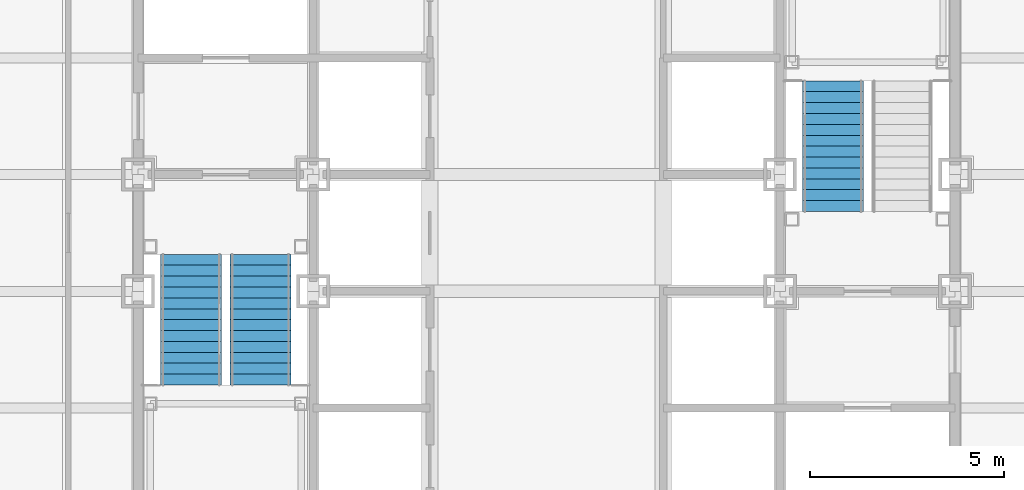
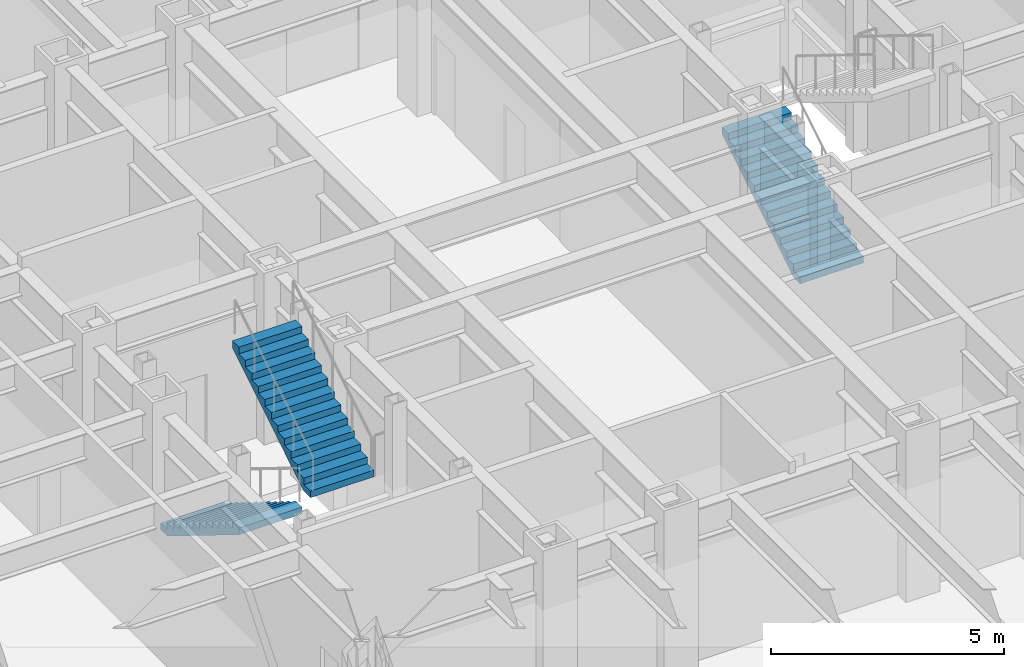
# One storey, part 12 of 16: 3 stair flights, 2 elements without a shape of their own.
"""IFC4 building model written with IfcOpenShell, lengths in metres."""

from ifc_helpers import new_model, si_unit, direction, frame, origin, place, context, subcontext, project, spatial, faceted_brep, material, type_object, element, aggregate, save


model = new_model("IFC4")

# Units and contexts
model_context = context("Model", 3, precision=1e-05, world=origin(), true_north=direction((0.0, 1.0)))
body_context = subcontext(model_context, "Body", "Model", "MODEL_VIEW")
ifc_project = project(units=[si_unit("LENGTHUNIT", "METRE"), si_unit("AREAUNIT", "SQUARE_METRE"), si_unit("VOLUMEUNIT", "CUBIC_METRE"), si_unit("PLANEANGLEUNIT", "RADIAN"), si_unit("MASSUNIT", "GRAM", prefix="KILO")], contexts=[model_context])

# Site, building, storey
site_placement = place(None, origin())
site = spatial("IfcSite", under=ifc_project, at=site_placement, CompositionType="ELEMENT")
building_placement = place(site_placement, origin())
building = spatial("IfcBuilding", under=site, at=building_placement, Name="Chuquiago Exchange Tower", CompositionType="ELEMENT")
storey_placement = place(building_placement, frame((0.0, 0.0, 33.300048828125)))
storey = spatial("IfcBuildingStorey", under=building, at=storey_placement, Name="L06", CompositionType="ELEMENT", Elevation=33.300048828125)

# Stair, stair flights
ifc_material_1 = material(Name="Concrete C30/37, precast", Category="concrete")
stair_type_1 = type_object("IfcStairType", Name="ST1 half-turn stair 4500", PredefinedType="HALF_TURN_STAIR", material=ifc_material_1)
stair_1_placement = place(storey_placement, origin())
stair_1 = element("IfcStair", 1, at=stair_1_placement, inside=storey, type_object=stair_type_1, Name="Stair ST1 L06", PredefinedType="HALF_TURN_STAIR")
ifc_material_2 = material(Name="Concrete C30/37, precast", Category="concrete")
stair_flight_type = type_object("IfcStairFlightType", Name="ST-F flight 1570 for 4500 storey", PredefinedType="STRAIGHT", material=ifc_material_2)
stair_flight_1_placement = place(storey_placement, frame((13.360107421875, 21.949951171875, 0.0), z_axis=(0.0, 0.0, 1.0), x_axis=(0.0, -1.0, 0.0)))
stair_flight_1 = element("IfcStairFlight", 2, at=stair_flight_1_placement, type_object=stair_flight_type, Name="ST1 flight 1", NumberOfRisers=13, NumberOfTreads=12, PredefinedType="STRAIGHT", RiserHeight=0.173076923, TreadLength=0.28, context=body_context, shape_type="Brep", body=[
    faceted_brep([(0.0, 0.78515625, 0.0), (0.0, 0.78515625, 0.173095703125), (0.280029296875, 0.78515625, 0.173095703125), (0.280029296875, 0.78515625, 0.34619140625), (0.56005859375, 0.78515625, 0.34619140625), (0.56005859375, 0.78515625, 0.519287109375), (0.840087890625, 0.78515625, 0.519287109375), (0.840087890625, 0.78515625, 0.6923828125), (1.1201171875, 0.78515625, 0.6923828125), (1.1201171875, 0.78515625, 0.865478515625), (1.39990234375, 0.78515625, 0.865478515625), (1.39990234375, 0.78515625, 1.03857421875), (1.679931640625, 0.78515625, 1.03857421875), (1.679931640625, 0.78515625, 1.21142578125), (1.9599609375, 0.78515625, 1.21142578125), (1.9599609375, 0.78515625, 1.384521484375), (2.239990234375, 0.78515625, 1.384521484375), (2.239990234375, 0.78515625, 1.5576171875), (2.52001953125, 0.78515625, 1.5576171875), (2.52001953125, 0.78515625, 1.730712890625), (2.800048828125, 0.78515625, 1.730712890625), (2.800048828125, 0.78515625, 1.90380859375), (3.080078125, 0.78515625, 1.90380859375), (3.080078125, 0.78515625, 2.076904296875), (3.360107421875, 0.78515625, 2.076904296875), (3.360107421875, 0.78515625, 1.900634765625), (0.28515625, 0.78515625, 0.0), (0.28515625, -0.78515625, 0.0), (3.360107421875, -0.78515625, 1.900634765625), (3.360107421875, -0.78515625, 2.076904296875), (3.080078125, -0.78515625, 2.076904296875), (3.080078125, -0.78515625, 1.90380859375), (2.800048828125, -0.78515625, 1.90380859375), (2.800048828125, -0.78515625, 1.730712890625), (2.52001953125, -0.78515625, 1.730712890625), (2.52001953125, -0.78515625, 1.5576171875), (2.239990234375, -0.78515625, 1.5576171875), (2.239990234375, -0.78515625, 1.384521484375), (1.9599609375, -0.78515625, 1.384521484375), (1.9599609375, -0.78515625, 1.21142578125), (1.679931640625, -0.78515625, 1.21142578125), (1.679931640625, -0.78515625, 1.03857421875), (1.39990234375, -0.78515625, 1.03857421875), (1.39990234375, -0.78515625, 0.865478515625), (1.1201171875, -0.78515625, 0.865478515625), (1.1201171875, -0.78515625, 0.6923828125), (0.840087890625, -0.78515625, 0.6923828125), (0.840087890625, -0.78515625, 0.519287109375), (0.56005859375, -0.78515625, 0.519287109375), (0.56005859375, -0.78515625, 0.34619140625), (0.280029296875, -0.78515625, 0.34619140625), (0.280029296875, -0.78515625, 0.173095703125), (0.0, -0.78515625, 0.173095703125), (0.0, -0.78515625, 0.0), (0.0, 0.392578125, 0.0), (0.0, 0.392578125, 0.173095703125), (0.0, 0.0, 0.0), (0.0, 0.0, 0.173095703125), (0.0, -0.392578125, 0.0), (0.0, -0.392578125, 0.173095703125), (0.280029296875, 0.392578125, 0.173095703125), (0.280029296875, 0.0, 0.173095703125), (0.280029296875, -0.392578125, 0.173095703125), (0.280029296875, 0.392578125, 0.34619140625), (0.280029296875, 0.0, 0.34619140625), (0.280029296875, -0.392578125, 0.34619140625), (0.56005859375, 0.392578125, 0.34619140625), (0.56005859375, 0.0, 0.34619140625), (0.56005859375, -0.392578125, 0.34619140625), (0.56005859375, 0.392578125, 0.519287109375), (0.56005859375, 0.0, 0.519287109375), (0.56005859375, -0.392578125, 0.519287109375), (0.840087890625, 0.392578125, 0.519287109375), (0.840087890625, 0.0, 0.519287109375), (0.840087890625, -0.392578125, 0.519287109375), (0.840087890625, 0.392578125, 0.6923828125), (0.840087890625, 0.0, 0.6923828125), (0.840087890625, -0.392578125, 0.6923828125), (1.1201171875, 0.392578125, 0.6923828125), (1.1201171875, 0.0, 0.6923828125), (1.1201171875, -0.392578125, 0.6923828125), (1.1201171875, 0.392578125, 0.865478515625), (1.1201171875, 0.0, 0.865478515625), (1.1201171875, -0.392578125, 0.865478515625), (1.39990234375, 0.392578125, 0.865478515625), (1.39990234375, 0.0, 0.865478515625), (1.39990234375, -0.392578125, 0.865478515625), (1.39990234375, 0.392578125, 1.03857421875), (1.39990234375, 0.0, 1.03857421875), (1.39990234375, -0.392578125, 1.03857421875), (1.679931640625, 0.392578125, 1.03857421875), (1.679931640625, 0.0, 1.03857421875), (1.679931640625, -0.392578125, 1.03857421875), (1.679931640625, 0.392578125, 1.21142578125), (1.679931640625, 0.0, 1.21142578125), (1.679931640625, -0.392578125, 1.21142578125), (1.9599609375, 0.392578125, 1.21142578125), (1.9599609375, 0.0, 1.21142578125), (1.9599609375, -0.392578125, 1.21142578125), (1.9599609375, 0.392578125, 1.384521484375), (1.9599609375, 0.0, 1.384521484375), (1.9599609375, -0.392578125, 1.384521484375), (2.239990234375, 0.392578125, 1.384521484375), (2.239990234375, 0.0, 1.384521484375), (2.239990234375, -0.392578125, 1.384521484375), (2.239990234375, 0.392578125, 1.5576171875), (2.239990234375, 0.0, 1.5576171875), (2.239990234375, -0.392578125, 1.5576171875), (2.52001953125, 0.392578125, 1.5576171875), (2.52001953125, 0.0, 1.5576171875), (2.52001953125, -0.392578125, 1.5576171875), (2.52001953125, 0.392578125, 1.730712890625), (2.52001953125, 0.0, 1.730712890625), (2.52001953125, -0.392578125, 1.730712890625), (2.800048828125, 0.392578125, 1.730712890625), (2.800048828125, 0.0, 1.730712890625), (2.800048828125, -0.392578125, 1.730712890625), (2.800048828125, 0.392578125, 1.90380859375), (2.800048828125, 0.0, 1.90380859375), (2.800048828125, -0.392578125, 1.90380859375), (3.080078125, 0.392578125, 1.90380859375), (3.080078125, 0.0, 1.90380859375), (3.080078125, -0.392578125, 1.90380859375), (3.080078125, 0.392578125, 2.076904296875), (3.080078125, 0.0, 2.076904296875), (3.080078125, -0.392578125, 2.076904296875), (3.360107421875, 0.392578125, 2.076904296875), (3.360107421875, 0.0, 2.076904296875), (3.360107421875, -0.392578125, 2.076904296875), (3.360107421875, 0.392578125, 1.900634765625), (3.360107421875, 0.0, 1.900634765625), (3.360107421875, -0.392578125, 1.900634765625), (0.28515625, 0.392578125, 0.0), (0.28515625, 0.0, 0.0), (0.28515625, -0.392578125, 0.0)], [[[0, 1, 2, 3, 4, 5, 6, 7, 8, 9, 10, 11, 12, 13, 14, 15, 16, 17, 18, 19, 20, 21, 22, 23, 24, 25, 26]], [[27, 28, 29, 30, 31, 32, 33, 34, 35, 36, 37, 38, 39, 40, 41, 42, 43, 44, 45, 46, 47, 48, 49, 50, 51, 52, 53]], [[1, 0, 54, 55]], [[55, 54, 56, 57]], [[57, 56, 58, 59]], [[59, 58, 53, 52]], [[2, 1, 55, 60]], [[60, 55, 57, 61]], [[61, 57, 59, 62]], [[62, 59, 52, 51]], [[3, 2, 60, 63]], [[63, 60, 61, 64]], [[64, 61, 62, 65]], [[65, 62, 51, 50]], [[4, 3, 63, 66]], [[66, 63, 64, 67]], [[67, 64, 65, 68]], [[68, 65, 50, 49]], [[5, 4, 66, 69]], [[69, 66, 67, 70]], [[70, 67, 68, 71]], [[71, 68, 49, 48]], [[6, 5, 69, 72]], [[72, 69, 70, 73]], [[73, 70, 71, 74]], [[74, 71, 48, 47]], [[7, 6, 72, 75]], [[75, 72, 73, 76]], [[76, 73, 74, 77]], [[77, 74, 47, 46]], [[8, 7, 75, 78]], [[78, 75, 76, 79]], [[79, 76, 77, 80]], [[80, 77, 46, 45]], [[9, 8, 78, 81]], [[81, 78, 79, 82]], [[82, 79, 80, 83]], [[83, 80, 45, 44]], [[10, 9, 81, 84]], [[84, 81, 82, 85]], [[85, 82, 83, 86]], [[86, 83, 44, 43]], [[11, 10, 84, 87]], [[87, 84, 85, 88]], [[88, 85, 86, 89]], [[89, 86, 43, 42]], [[12, 11, 87, 90]], [[90, 87, 88, 91]], [[91, 88, 89, 92]], [[92, 89, 42, 41]], [[13, 12, 90, 93]], [[93, 90, 91, 94]], [[94, 91, 92, 95]], [[95, 92, 41, 40]], [[14, 13, 93, 96]], [[96, 93, 94, 97]], [[97, 94, 95, 98]], [[98, 95, 40, 39]], [[15, 14, 96, 99]], [[99, 96, 97, 100]], [[100, 97, 98, 101]], [[101, 98, 39, 38]], [[16, 15, 99, 102]], [[102, 99, 100, 103]], [[103, 100, 101, 104]], [[104, 101, 38, 37]], [[17, 16, 102, 105]], [[105, 102, 103, 106]], [[106, 103, 104, 107]], [[107, 104, 37, 36]], [[18, 17, 105, 108]], [[108, 105, 106, 109]], [[109, 106, 107, 110]], [[110, 107, 36, 35]], [[19, 18, 108, 111]], [[111, 108, 109, 112]], [[112, 109, 110, 113]], [[113, 110, 35, 34]], [[20, 19, 111, 114]], [[114, 111, 112, 115]], [[115, 112, 113, 116]], [[116, 113, 34, 33]], [[21, 20, 114, 117]], [[117, 114, 115, 118]], [[118, 115, 116, 119]], [[119, 116, 33, 32]], [[22, 21, 117, 120]], [[120, 117, 118, 121]], [[121, 118, 119, 122]], [[122, 119, 32, 31]], [[23, 22, 120, 123]], [[123, 120, 121, 124]], [[124, 121, 122, 125]], [[125, 122, 31, 30]], [[24, 23, 123, 126]], [[126, 123, 124, 127]], [[127, 124, 125, 128]], [[128, 125, 30, 29]], [[25, 24, 126, 129]], [[129, 126, 127, 130]], [[130, 127, 128, 131]], [[131, 128, 29, 28]], [[26, 25, 129, 132]], [[132, 129, 130, 133]], [[133, 130, 131, 134]], [[134, 131, 28, 27]], [[0, 26, 132, 54]], [[54, 132, 133, 56]], [[56, 133, 134, 58]], [[58, 134, 27, 53]]]),
])
stair_flight_2_placement = place(storey_placement, frame((15.139892578125, 18.590087890625, 2.25), z_axis=(0.0, 0.0, 1.0), x_axis=(0.0, 1.0, 0.0)))
stair_flight_2 = element("IfcStairFlight", 3, at=stair_flight_2_placement, type_object=stair_flight_type, Name="ST1 flight 2", NumberOfRisers=13, NumberOfTreads=12, PredefinedType="STRAIGHT", RiserHeight=0.173076923, TreadLength=0.28, context=body_context, shape_type="Brep", body=[
    faceted_brep([(0.0, 0.78515625, 0.0), (0.0, 0.78515625, 0.173095703125), (0.280029296875, 0.78515625, 0.173095703125), (0.280029296875, 0.78515625, 0.34619140625), (0.56005859375, 0.78515625, 0.34619140625), (0.56005859375, 0.78515625, 0.519287109375), (0.840087890625, 0.78515625, 0.519287109375), (0.840087890625, 0.78515625, 0.6923828125), (1.1201171875, 0.78515625, 0.6923828125), (1.1201171875, 0.78515625, 0.865478515625), (1.39990234375, 0.78515625, 0.865478515625), (1.39990234375, 0.78515625, 1.03857421875), (1.679931640625, 0.78515625, 1.03857421875), (1.679931640625, 0.78515625, 1.21142578125), (1.9599609375, 0.78515625, 1.21142578125), (1.9599609375, 0.78515625, 1.384521484375), (2.239990234375, 0.78515625, 1.384521484375), (2.239990234375, 0.78515625, 1.5576171875), (2.52001953125, 0.78515625, 1.5576171875), (2.52001953125, 0.78515625, 1.730712890625), (2.800048828125, 0.78515625, 1.730712890625), (2.800048828125, 0.78515625, 1.90380859375), (3.080078125, 0.78515625, 1.90380859375), (3.080078125, 0.78515625, 2.076904296875), (3.360107421875, 0.78515625, 2.076904296875), (3.360107421875, 0.78515625, 1.900634765625), (0.28515625, 0.78515625, 0.0), (0.28515625, -0.78515625, 0.0), (3.360107421875, -0.78515625, 1.900634765625), (3.360107421875, -0.78515625, 2.076904296875), (3.080078125, -0.78515625, 2.076904296875), (3.080078125, -0.78515625, 1.90380859375), (2.800048828125, -0.78515625, 1.90380859375), (2.800048828125, -0.78515625, 1.730712890625), (2.52001953125, -0.78515625, 1.730712890625), (2.52001953125, -0.78515625, 1.5576171875), (2.239990234375, -0.78515625, 1.5576171875), (2.239990234375, -0.78515625, 1.384521484375), (1.9599609375, -0.78515625, 1.384521484375), (1.9599609375, -0.78515625, 1.21142578125), (1.679931640625, -0.78515625, 1.21142578125), (1.679931640625, -0.78515625, 1.03857421875), (1.39990234375, -0.78515625, 1.03857421875), (1.39990234375, -0.78515625, 0.865478515625), (1.1201171875, -0.78515625, 0.865478515625), (1.1201171875, -0.78515625, 0.6923828125), (0.840087890625, -0.78515625, 0.6923828125), (0.840087890625, -0.78515625, 0.519287109375), (0.56005859375, -0.78515625, 0.519287109375), (0.56005859375, -0.78515625, 0.34619140625), (0.280029296875, -0.78515625, 0.34619140625), (0.280029296875, -0.78515625, 0.173095703125), (0.0, -0.78515625, 0.173095703125), (0.0, -0.78515625, 0.0), (0.0, 0.392578125, 0.0), (0.0, 0.392578125, 0.173095703125), (0.0, 0.0, 0.0), (0.0, 0.0, 0.173095703125), (0.0, -0.392578125, 0.0), (0.0, -0.392578125, 0.173095703125), (0.280029296875, 0.392578125, 0.173095703125), (0.280029296875, 0.0, 0.173095703125), (0.280029296875, -0.392578125, 0.173095703125), (0.280029296875, 0.392578125, 0.34619140625), (0.280029296875, 0.0, 0.34619140625), (0.280029296875, -0.392578125, 0.34619140625), (0.56005859375, 0.392578125, 0.34619140625), (0.56005859375, 0.0, 0.34619140625), (0.56005859375, -0.392578125, 0.34619140625), (0.56005859375, 0.392578125, 0.519287109375), (0.56005859375, 0.0, 0.519287109375), (0.56005859375, -0.392578125, 0.519287109375), (0.840087890625, 0.392578125, 0.519287109375), (0.840087890625, 0.0, 0.519287109375), (0.840087890625, -0.392578125, 0.519287109375), (0.840087890625, 0.392578125, 0.6923828125), (0.840087890625, 0.0, 0.6923828125), (0.840087890625, -0.392578125, 0.6923828125), (1.1201171875, 0.392578125, 0.6923828125), (1.1201171875, 0.0, 0.6923828125), (1.1201171875, -0.392578125, 0.6923828125), (1.1201171875, 0.392578125, 0.865478515625), (1.1201171875, 0.0, 0.865478515625), (1.1201171875, -0.392578125, 0.865478515625), (1.39990234375, 0.392578125, 0.865478515625), (1.39990234375, 0.0, 0.865478515625), (1.39990234375, -0.392578125, 0.865478515625), (1.39990234375, 0.392578125, 1.03857421875), (1.39990234375, 0.0, 1.03857421875), (1.39990234375, -0.392578125, 1.03857421875), (1.679931640625, 0.392578125, 1.03857421875), (1.679931640625, 0.0, 1.03857421875), (1.679931640625, -0.392578125, 1.03857421875), (1.679931640625, 0.392578125, 1.21142578125), (1.679931640625, 0.0, 1.21142578125), (1.679931640625, -0.392578125, 1.21142578125), (1.9599609375, 0.392578125, 1.21142578125), (1.9599609375, 0.0, 1.21142578125), (1.9599609375, -0.392578125, 1.21142578125), (1.9599609375, 0.392578125, 1.384521484375), (1.9599609375, 0.0, 1.384521484375), (1.9599609375, -0.392578125, 1.384521484375), (2.239990234375, 0.392578125, 1.384521484375), (2.239990234375, 0.0, 1.384521484375), (2.239990234375, -0.392578125, 1.384521484375), (2.239990234375, 0.392578125, 1.5576171875), (2.239990234375, 0.0, 1.5576171875), (2.239990234375, -0.392578125, 1.5576171875), (2.52001953125, 0.392578125, 1.5576171875), (2.52001953125, 0.0, 1.5576171875), (2.52001953125, -0.392578125, 1.5576171875), (2.52001953125, 0.392578125, 1.730712890625), (2.52001953125, 0.0, 1.730712890625), (2.52001953125, -0.392578125, 1.730712890625), (2.800048828125, 0.392578125, 1.730712890625), (2.800048828125, 0.0, 1.730712890625), (2.800048828125, -0.392578125, 1.730712890625), (2.800048828125, 0.392578125, 1.90380859375), (2.800048828125, 0.0, 1.90380859375), (2.800048828125, -0.392578125, 1.90380859375), (3.080078125, 0.392578125, 1.90380859375), (3.080078125, 0.0, 1.90380859375), (3.080078125, -0.392578125, 1.90380859375), (3.080078125, 0.392578125, 2.076904296875), (3.080078125, 0.0, 2.076904296875), (3.080078125, -0.392578125, 2.076904296875), (3.360107421875, 0.392578125, 2.076904296875), (3.360107421875, 0.0, 2.076904296875), (3.360107421875, -0.392578125, 2.076904296875), (3.360107421875, 0.392578125, 1.900634765625), (3.360107421875, 0.0, 1.900634765625), (3.360107421875, -0.392578125, 1.900634765625), (0.28515625, 0.392578125, 0.0), (0.28515625, 0.0, 0.0), (0.28515625, -0.392578125, 0.0)], [[[0, 1, 2, 3, 4, 5, 6, 7, 8, 9, 10, 11, 12, 13, 14, 15, 16, 17, 18, 19, 20, 21, 22, 23, 24, 25, 26]], [[27, 28, 29, 30, 31, 32, 33, 34, 35, 36, 37, 38, 39, 40, 41, 42, 43, 44, 45, 46, 47, 48, 49, 50, 51, 52, 53]], [[1, 0, 54, 55]], [[55, 54, 56, 57]], [[57, 56, 58, 59]], [[59, 58, 53, 52]], [[2, 1, 55, 60]], [[60, 55, 57, 61]], [[61, 57, 59, 62]], [[62, 59, 52, 51]], [[3, 2, 60, 63]], [[63, 60, 61, 64]], [[64, 61, 62, 65]], [[65, 62, 51, 50]], [[4, 3, 63, 66]], [[66, 63, 64, 67]], [[67, 64, 65, 68]], [[68, 65, 50, 49]], [[5, 4, 66, 69]], [[69, 66, 67, 70]], [[70, 67, 68, 71]], [[71, 68, 49, 48]], [[6, 5, 69, 72]], [[72, 69, 70, 73]], [[73, 70, 71, 74]], [[74, 71, 48, 47]], [[7, 6, 72, 75]], [[75, 72, 73, 76]], [[76, 73, 74, 77]], [[77, 74, 47, 46]], [[8, 7, 75, 78]], [[78, 75, 76, 79]], [[79, 76, 77, 80]], [[80, 77, 46, 45]], [[9, 8, 78, 81]], [[81, 78, 79, 82]], [[82, 79, 80, 83]], [[83, 80, 45, 44]], [[10, 9, 81, 84]], [[84, 81, 82, 85]], [[85, 82, 83, 86]], [[86, 83, 44, 43]], [[11, 10, 84, 87]], [[87, 84, 85, 88]], [[88, 85, 86, 89]], [[89, 86, 43, 42]], [[12, 11, 87, 90]], [[90, 87, 88, 91]], [[91, 88, 89, 92]], [[92, 89, 42, 41]], [[13, 12, 90, 93]], [[93, 90, 91, 94]], [[94, 91, 92, 95]], [[95, 92, 41, 40]], [[14, 13, 93, 96]], [[96, 93, 94, 97]], [[97, 94, 95, 98]], [[98, 95, 40, 39]], [[15, 14, 96, 99]], [[99, 96, 97, 100]], [[100, 97, 98, 101]], [[101, 98, 39, 38]], [[16, 15, 99, 102]], [[102, 99, 100, 103]], [[103, 100, 101, 104]], [[104, 101, 38, 37]], [[17, 16, 102, 105]], [[105, 102, 103, 106]], [[106, 103, 104, 107]], [[107, 104, 37, 36]], [[18, 17, 105, 108]], [[108, 105, 106, 109]], [[109, 106, 107, 110]], [[110, 107, 36, 35]], [[19, 18, 108, 111]], [[111, 108, 109, 112]], [[112, 109, 110, 113]], [[113, 110, 35, 34]], [[20, 19, 111, 114]], [[114, 111, 112, 115]], [[115, 112, 113, 116]], [[116, 113, 34, 33]], [[21, 20, 114, 117]], [[117, 114, 115, 118]], [[118, 115, 116, 119]], [[119, 116, 33, 32]], [[22, 21, 117, 120]], [[120, 117, 118, 121]], [[121, 118, 119, 122]], [[122, 119, 32, 31]], [[23, 22, 120, 123]], [[123, 120, 121, 124]], [[124, 121, 122, 125]], [[125, 122, 31, 30]], [[24, 23, 123, 126]], [[126, 123, 124, 127]], [[127, 124, 125, 128]], [[128, 125, 30, 29]], [[25, 24, 126, 129]], [[129, 126, 127, 130]], [[130, 127, 128, 131]], [[131, 128, 29, 28]], [[26, 25, 129, 132]], [[132, 129, 130, 133]], [[133, 130, 131, 134]], [[134, 131, 28, 27]], [[0, 26, 132, 54]], [[54, 132, 133, 56]], [[56, 133, 134, 58]], [[58, 134, 27, 53]]]),
])
aggregate(stair_1, [stair_flight_1, stair_flight_2])

# Stair, stair flight
ifc_material_3 = material(Name="Concrete C30/37, precast", Category="concrete")
stair_type_2 = type_object("IfcStairType", Name="ST2 half-turn stair 4500", PredefinedType="HALF_TURN_STAIR", material=ifc_material_3)
stair_2_placement = place(storey_placement, origin())
stair_2 = element("IfcStair", 4, at=stair_2_placement, inside=storey, type_object=stair_type_2, Name="Stair ST2 L06", PredefinedType="HALF_TURN_STAIR")
stair_flight_3_placement = place(storey_placement, frame((29.860107421875, 23.050048828125, 0.0), z_axis=(0.0, 0.0, 1.0), x_axis=(0.0, 1.0, 0.0)))
stair_flight_3 = element("IfcStairFlight", 5, at=stair_flight_3_placement, type_object=stair_flight_type, Name="ST2 flight 1", NumberOfRisers=13, NumberOfTreads=12, PredefinedType="STRAIGHT", RiserHeight=0.173076923, TreadLength=0.28, context=body_context, shape_type="Brep", body=[
    faceted_brep([(0.0, 0.78515625, 0.0), (0.0, 0.78515625, 0.173095703125), (0.280029296875, 0.78515625, 0.173095703125), (0.280029296875, 0.78515625, 0.34619140625), (0.56005859375, 0.78515625, 0.34619140625), (0.56005859375, 0.78515625, 0.519287109375), (0.840087890625, 0.78515625, 0.519287109375), (0.840087890625, 0.78515625, 0.6923828125), (1.1201171875, 0.78515625, 0.6923828125), (1.1201171875, 0.78515625, 0.865478515625), (1.39990234375, 0.78515625, 0.865478515625), (1.39990234375, 0.78515625, 1.03857421875), (1.679931640625, 0.78515625, 1.03857421875), (1.679931640625, 0.78515625, 1.21142578125), (1.9599609375, 0.78515625, 1.21142578125), (1.9599609375, 0.78515625, 1.384521484375), (2.239990234375, 0.78515625, 1.384521484375), (2.239990234375, 0.78515625, 1.5576171875), (2.52001953125, 0.78515625, 1.5576171875), (2.52001953125, 0.78515625, 1.730712890625), (2.800048828125, 0.78515625, 1.730712890625), (2.800048828125, 0.78515625, 1.90380859375), (3.080078125, 0.78515625, 1.90380859375), (3.080078125, 0.78515625, 2.076904296875), (3.360107421875, 0.78515625, 2.076904296875), (3.360107421875, 0.78515625, 1.900634765625), (0.28515625, 0.78515625, 0.0), (0.28515625, -0.78515625, 0.0), (3.360107421875, -0.78515625, 1.900634765625), (3.360107421875, -0.78515625, 2.076904296875), (3.080078125, -0.78515625, 2.076904296875), (3.080078125, -0.78515625, 1.90380859375), (2.800048828125, -0.78515625, 1.90380859375), (2.800048828125, -0.78515625, 1.730712890625), (2.52001953125, -0.78515625, 1.730712890625), (2.52001953125, -0.78515625, 1.5576171875), (2.239990234375, -0.78515625, 1.5576171875), (2.239990234375, -0.78515625, 1.384521484375), (1.9599609375, -0.78515625, 1.384521484375), (1.9599609375, -0.78515625, 1.21142578125), (1.679931640625, -0.78515625, 1.21142578125), (1.679931640625, -0.78515625, 1.03857421875), (1.39990234375, -0.78515625, 1.03857421875), (1.39990234375, -0.78515625, 0.865478515625), (1.1201171875, -0.78515625, 0.865478515625), (1.1201171875, -0.78515625, 0.6923828125), (0.840087890625, -0.78515625, 0.6923828125), (0.840087890625, -0.78515625, 0.519287109375), (0.56005859375, -0.78515625, 0.519287109375), (0.56005859375, -0.78515625, 0.34619140625), (0.280029296875, -0.78515625, 0.34619140625), (0.280029296875, -0.78515625, 0.173095703125), (0.0, -0.78515625, 0.173095703125), (0.0, -0.78515625, 0.0), (0.0, 0.392578125, 0.0), (0.0, 0.392578125, 0.173095703125), (0.0, 0.0, 0.0), (0.0, 0.0, 0.173095703125), (0.0, -0.392578125, 0.0), (0.0, -0.392578125, 0.173095703125), (0.280029296875, 0.392578125, 0.173095703125), (0.280029296875, 0.0, 0.173095703125), (0.280029296875, -0.392578125, 0.173095703125), (0.280029296875, 0.392578125, 0.34619140625), (0.280029296875, 0.0, 0.34619140625), (0.280029296875, -0.392578125, 0.34619140625), (0.56005859375, 0.392578125, 0.34619140625), (0.56005859375, 0.0, 0.34619140625), (0.56005859375, -0.392578125, 0.34619140625), (0.56005859375, 0.392578125, 0.519287109375), (0.56005859375, 0.0, 0.519287109375), (0.56005859375, -0.392578125, 0.519287109375), (0.840087890625, 0.392578125, 0.519287109375), (0.840087890625, 0.0, 0.519287109375), (0.840087890625, -0.392578125, 0.519287109375), (0.840087890625, 0.392578125, 0.6923828125), (0.840087890625, 0.0, 0.6923828125), (0.840087890625, -0.392578125, 0.6923828125), (1.1201171875, 0.392578125, 0.6923828125), (1.1201171875, 0.0, 0.6923828125), (1.1201171875, -0.392578125, 0.6923828125), (1.1201171875, 0.392578125, 0.865478515625), (1.1201171875, 0.0, 0.865478515625), (1.1201171875, -0.392578125, 0.865478515625), (1.39990234375, 0.392578125, 0.865478515625), (1.39990234375, 0.0, 0.865478515625), (1.39990234375, -0.392578125, 0.865478515625), (1.39990234375, 0.392578125, 1.03857421875), (1.39990234375, 0.0, 1.03857421875), (1.39990234375, -0.392578125, 1.03857421875), (1.679931640625, 0.392578125, 1.03857421875), (1.679931640625, 0.0, 1.03857421875), (1.679931640625, -0.392578125, 1.03857421875), (1.679931640625, 0.392578125, 1.21142578125), (1.679931640625, 0.0, 1.21142578125), (1.679931640625, -0.392578125, 1.21142578125), (1.9599609375, 0.392578125, 1.21142578125), (1.9599609375, 0.0, 1.21142578125), (1.9599609375, -0.392578125, 1.21142578125), (1.9599609375, 0.392578125, 1.384521484375), (1.9599609375, 0.0, 1.384521484375), (1.9599609375, -0.392578125, 1.384521484375), (2.239990234375, 0.392578125, 1.384521484375), (2.239990234375, 0.0, 1.384521484375), (2.239990234375, -0.392578125, 1.384521484375), (2.239990234375, 0.392578125, 1.5576171875), (2.239990234375, 0.0, 1.5576171875), (2.239990234375, -0.392578125, 1.5576171875), (2.52001953125, 0.392578125, 1.5576171875), (2.52001953125, 0.0, 1.5576171875), (2.52001953125, -0.392578125, 1.5576171875), (2.52001953125, 0.392578125, 1.730712890625), (2.52001953125, 0.0, 1.730712890625), (2.52001953125, -0.392578125, 1.730712890625), (2.800048828125, 0.392578125, 1.730712890625), (2.800048828125, 0.0, 1.730712890625), (2.800048828125, -0.392578125, 1.730712890625), (2.800048828125, 0.392578125, 1.90380859375), (2.800048828125, 0.0, 1.90380859375), (2.800048828125, -0.392578125, 1.90380859375), (3.080078125, 0.392578125, 1.90380859375), (3.080078125, 0.0, 1.90380859375), (3.080078125, -0.392578125, 1.90380859375), (3.080078125, 0.392578125, 2.076904296875), (3.080078125, 0.0, 2.076904296875), (3.080078125, -0.392578125, 2.076904296875), (3.360107421875, 0.392578125, 2.076904296875), (3.360107421875, 0.0, 2.076904296875), (3.360107421875, -0.392578125, 2.076904296875), (3.360107421875, 0.392578125, 1.900634765625), (3.360107421875, 0.0, 1.900634765625), (3.360107421875, -0.392578125, 1.900634765625), (0.28515625, 0.392578125, 0.0), (0.28515625, 0.0, 0.0), (0.28515625, -0.392578125, 0.0)], [[[0, 1, 2, 3, 4, 5, 6, 7, 8, 9, 10, 11, 12, 13, 14, 15, 16, 17, 18, 19, 20, 21, 22, 23, 24, 25, 26]], [[27, 28, 29, 30, 31, 32, 33, 34, 35, 36, 37, 38, 39, 40, 41, 42, 43, 44, 45, 46, 47, 48, 49, 50, 51, 52, 53]], [[1, 0, 54, 55]], [[55, 54, 56, 57]], [[57, 56, 58, 59]], [[59, 58, 53, 52]], [[2, 1, 55, 60]], [[60, 55, 57, 61]], [[61, 57, 59, 62]], [[62, 59, 52, 51]], [[3, 2, 60, 63]], [[63, 60, 61, 64]], [[64, 61, 62, 65]], [[65, 62, 51, 50]], [[4, 3, 63, 66]], [[66, 63, 64, 67]], [[67, 64, 65, 68]], [[68, 65, 50, 49]], [[5, 4, 66, 69]], [[69, 66, 67, 70]], [[70, 67, 68, 71]], [[71, 68, 49, 48]], [[6, 5, 69, 72]], [[72, 69, 70, 73]], [[73, 70, 71, 74]], [[74, 71, 48, 47]], [[7, 6, 72, 75]], [[75, 72, 73, 76]], [[76, 73, 74, 77]], [[77, 74, 47, 46]], [[8, 7, 75, 78]], [[78, 75, 76, 79]], [[79, 76, 77, 80]], [[80, 77, 46, 45]], [[9, 8, 78, 81]], [[81, 78, 79, 82]], [[82, 79, 80, 83]], [[83, 80, 45, 44]], [[10, 9, 81, 84]], [[84, 81, 82, 85]], [[85, 82, 83, 86]], [[86, 83, 44, 43]], [[11, 10, 84, 87]], [[87, 84, 85, 88]], [[88, 85, 86, 89]], [[89, 86, 43, 42]], [[12, 11, 87, 90]], [[90, 87, 88, 91]], [[91, 88, 89, 92]], [[92, 89, 42, 41]], [[13, 12, 90, 93]], [[93, 90, 91, 94]], [[94, 91, 92, 95]], [[95, 92, 41, 40]], [[14, 13, 93, 96]], [[96, 93, 94, 97]], [[97, 94, 95, 98]], [[98, 95, 40, 39]], [[15, 14, 96, 99]], [[99, 96, 97, 100]], [[100, 97, 98, 101]], [[101, 98, 39, 38]], [[16, 15, 99, 102]], [[102, 99, 100, 103]], [[103, 100, 101, 104]], [[104, 101, 38, 37]], [[17, 16, 102, 105]], [[105, 102, 103, 106]], [[106, 103, 104, 107]], [[107, 104, 37, 36]], [[18, 17, 105, 108]], [[108, 105, 106, 109]], [[109, 106, 107, 110]], [[110, 107, 36, 35]], [[19, 18, 108, 111]], [[111, 108, 109, 112]], [[112, 109, 110, 113]], [[113, 110, 35, 34]], [[20, 19, 111, 114]], [[114, 111, 112, 115]], [[115, 112, 113, 116]], [[116, 113, 34, 33]], [[21, 20, 114, 117]], [[117, 114, 115, 118]], [[118, 115, 116, 119]], [[119, 116, 33, 32]], [[22, 21, 117, 120]], [[120, 117, 118, 121]], [[121, 118, 119, 122]], [[122, 119, 32, 31]], [[23, 22, 120, 123]], [[123, 120, 121, 124]], [[124, 121, 122, 125]], [[125, 122, 31, 30]], [[24, 23, 123, 126]], [[126, 123, 124, 127]], [[127, 124, 125, 128]], [[128, 125, 30, 29]], [[25, 24, 126, 129]], [[129, 126, 127, 130]], [[130, 127, 128, 131]], [[131, 128, 29, 28]], [[26, 25, 129, 132]], [[132, 129, 130, 133]], [[133, 130, 131, 134]], [[134, 131, 28, 27]], [[0, 26, 132, 54]], [[54, 132, 133, 56]], [[56, 133, 134, 58]], [[58, 134, 27, 53]]]),
])
aggregate(stair_2, [stair_flight_3])

save(model, "model.ifc")
